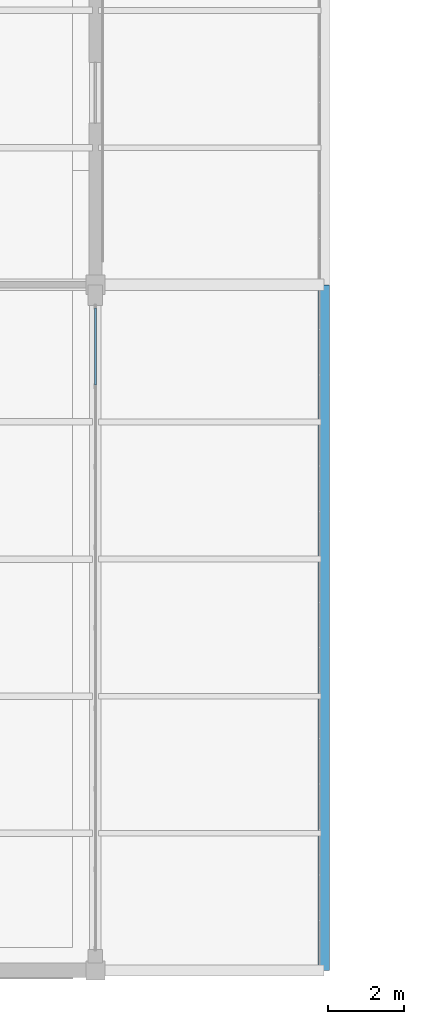
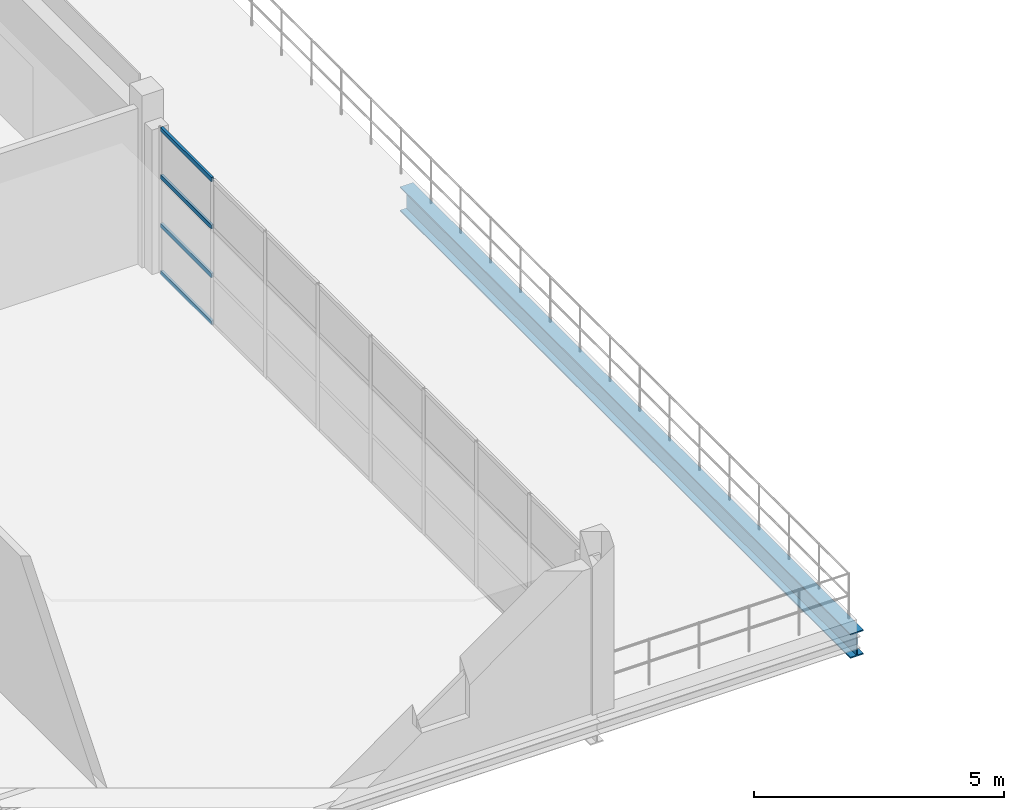
# One storey, part 5 of 11: 4 members, 1 beam, 1 element without a shape of its own.
"""IFC4 building model written with IfcOpenShell, lengths in metres."""

from ifc_helpers import new_model, si_unit, direction, frame, origin, origin_2d, place, context, subcontext, project, spatial, hollow_rectangle, i_section, extrude, material, layer, layer_set, material_profile, profile_set, type_object, element, aggregate, save


model = new_model("IFC4")

# Units and contexts
model_context = context("Model", 3, precision=1e-05, world=origin(), true_north=direction((0.0, 1.0)))
body_context = subcontext(model_context, "Body", "Model", "MODEL_VIEW")
ifc_project = project(units=[si_unit("LENGTHUNIT", "METRE"), si_unit("AREAUNIT", "SQUARE_METRE"), si_unit("VOLUMEUNIT", "CUBIC_METRE"), si_unit("PLANEANGLEUNIT", "RADIAN"), si_unit("MASSUNIT", "GRAM", prefix="KILO")], contexts=[model_context])

# Site, building, storey
site_placement = place(None, origin())
site = spatial("IfcSite", under=ifc_project, at=site_placement, CompositionType="ELEMENT")
building_placement = place(site_placement, origin())
building = spatial("IfcBuilding", under=site, at=building_placement, Name="Zilviju Railside Exhibition Hall", CompositionType="ELEMENT")
storey_placement = place(building_placement, frame((0.0, 0.0, 16.800048828125)))
storey = spatial("IfcBuildingStorey", under=building, at=storey_placement, Name="L05", CompositionType="ELEMENT", Elevation=16.800048828125)

# Beam
ifc_material_1 = material(Name="Steel S355J2", Category="steel")
ifc_material_profile_1 = material_profile(ifc_material_1, i_section(OverallWidth=0.300048828125, OverallDepth=0.60009765625, WebThickness=0.015380859375, FlangeThickness=0.030029296875, at=origin_2d()), Name="HEB 600")
ifc_profile_set_1 = profile_set([ifc_material_profile_1], Name="Steel S355J2")
beam_type = type_object("IfcBeamType", Name="BM-HEB600", PredefinedType="BEAM", material=ifc_profile_set_1)
beam_placement = place(storey_placement, frame((42.0, 84.0, -0.60009765625), z_axis=(0.0, 1.0, 0.0), x_axis=(-1.0, 0.0, 0.0)))
element("IfcBeam", 1, at=beam_placement, inside=storey, type_object=beam_type, Name="Transverse Girder L05 X=42.0 (84.0..102.0)", PredefinedType="BEAM", context=body_context, shape_type="SweptSolid", body=[
    extrude(i_section(OverallWidth=0.300048828125, OverallDepth=0.60009765625, WebThickness=0.015380859375, FlangeThickness=0.030029296875, at=origin_2d()), origin(), (0.0, 0.0, 1.0), 18.0),
])

# Curtain wall, members
ifc_material_2 = material(Name="Thermally broken aluminium-steel triple-glazed curtain wall", Category="steel")
ifc_layer = layer(ifc_material_2, 0.179931640625)
ifc_layer_set = layer_set([ifc_layer], Name="Thermally broken aluminium-steel triple-glazed curtain wall")
curtain_wall_type = type_object("IfcCurtainWallType", Name="CW-BAY-08", PredefinedType="USERDEFINED", material=ifc_layer_set)
curtain_wall_placement = place(storey_placement, origin())
curtain_wall = element("IfcCurtainWall", 2, at=curtain_wall_placement, inside=storey, type_object=curtain_wall_type, Name="Directorate L05 Boardroom Curtain Wall", ObjectType="GLAZED CURTAIN WALL", PredefinedType="USERDEFINED")
ifc_material_3 = material(Name="Thermally broken anodized aluminium transom", Category="aluminium")
ifc_material_profile_2 = material_profile(ifc_material_3, hollow_rectangle(XDim=0.054931640625, YDim=0.10498046875, WallThickness=0.0048828125, at=origin_2d()), Name="TRANSOM 105x55x5")
ifc_profile_set_2 = profile_set([ifc_material_profile_2], Name="Thermally broken anodized aluminium transom")
member_type = type_object("IfcMemberType", Name="CWT-55x105", PredefinedType="USERDEFINED", material=ifc_profile_set_2)
member_1_placement = place(storey_placement, frame((36.0, 101.39501953125, 0.02734375), z_axis=(0.0, -1.0, 0.0), x_axis=(1.0, 0.0, 0.0)))
member_1 = element("IfcMember", 3, at=member_1_placement, type_object=member_type, Name="CW-08 transom 1.1", ObjectType="TRANSOM", PredefinedType="USERDEFINED", context=body_context, shape_type="SweptSolid", body=[
    extrude(hollow_rectangle(XDim=0.054931640625, YDim=0.10498046875, WallThickness=0.0048828125, at=origin_2d()), origin(), (0.0, 0.0, 1.0), 2.030029296875),
])
member_2_placement = place(storey_placement, frame((36.0, 101.39501953125, 1.182861328125), z_axis=(0.0, -1.0, 0.0), x_axis=(1.0, 0.0, 0.0)))
member_2 = element("IfcMember", 4, at=member_2_placement, type_object=member_type, Name="CW-08 transom 1.2", ObjectType="TRANSOM", PredefinedType="USERDEFINED", context=body_context, shape_type="SweptSolid", body=[
    extrude(hollow_rectangle(XDim=0.054931640625, YDim=0.10498046875, WallThickness=0.0048828125, at=origin_2d()), origin(), (0.0, 0.0, 1.0), 2.030029296875),
])
member_3_placement = place(storey_placement, frame((36.0, 101.39501953125, 2.366943359375), z_axis=(0.0, -1.0, 0.0), x_axis=(1.0, 0.0, 0.0)))
member_3 = element("IfcMember", 5, at=member_3_placement, type_object=member_type, Name="CW-08 transom 1.3", ObjectType="TRANSOM", PredefinedType="USERDEFINED", context=body_context, shape_type="SweptSolid", body=[
    extrude(hollow_rectangle(XDim=0.054931640625, YDim=0.10498046875, WallThickness=0.0048828125, at=origin_2d()), origin(), (0.0, 0.0, 1.0), 2.030029296875),
])
member_4_placement = place(storey_placement, frame((36.0, 101.39501953125, 3.5224609375), z_axis=(0.0, -1.0, 0.0), x_axis=(1.0, 0.0, 0.0)))
member_4 = element("IfcMember", 6, at=member_4_placement, type_object=member_type, Name="CW-08 transom 1.4", ObjectType="TRANSOM", PredefinedType="USERDEFINED", context=body_context, shape_type="SweptSolid", body=[
    extrude(hollow_rectangle(XDim=0.054931640625, YDim=0.10498046875, WallThickness=0.0048828125, at=origin_2d()), origin(), (0.0, 0.0, 1.0), 2.030029296875),
])
aggregate(curtain_wall, [member_1, member_2, member_3, member_4])

save(model, "model.ifc")
